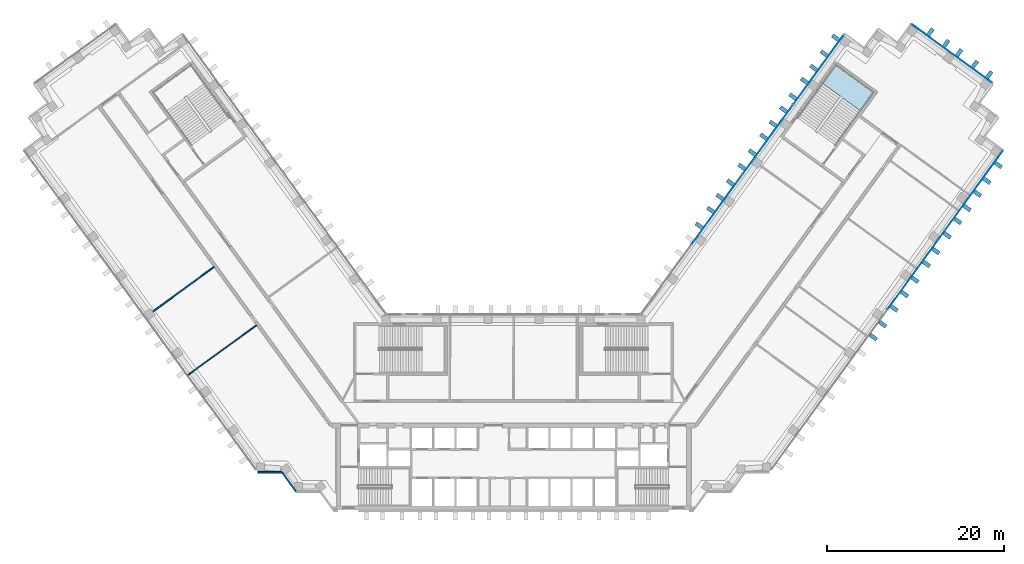
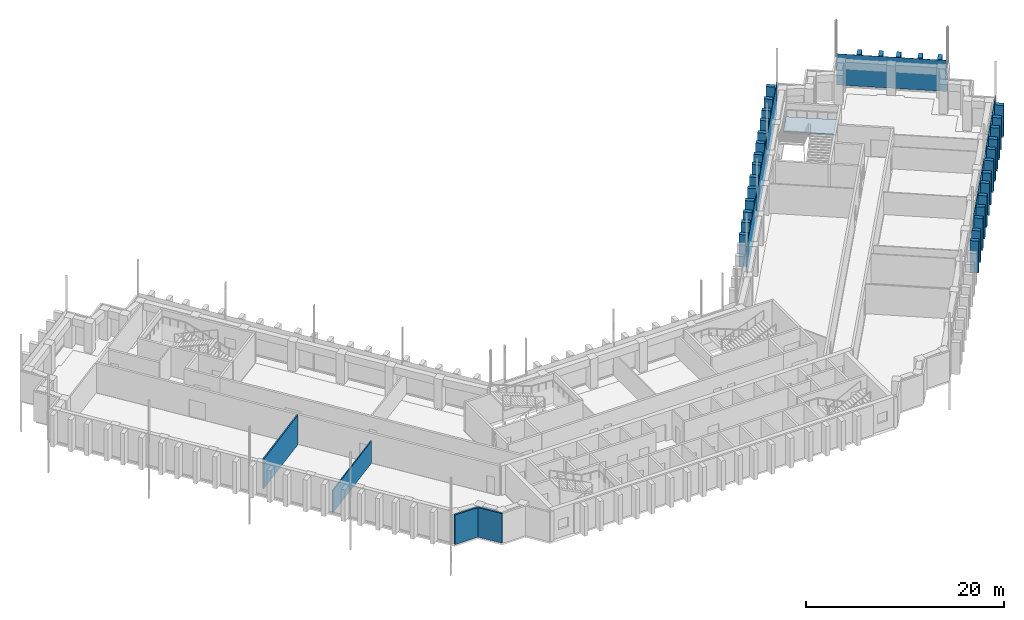
# One storey, part 9 of 18: 38 plates, 4 walls, 1 slab, 4 elements without a shape of their own.
"""IFC4 building model written with IfcOpenShell, lengths in metres."""

from ifc_helpers import new_model, si_unit, direction, frame, frame_2d, origin, origin_2d, place, context, subcontext, project, spatial, polyline, rectangle, outline, extrude, material, layer, layer_set, type_object, element, aggregate, save


model = new_model("IFC4")

# Units and contexts
model_context = context("Model", 3, precision=1e-05, world=origin(), true_north=direction((0.0, 1.0)))
body_context = subcontext(model_context, "Body", "Model", "MODEL_VIEW")
ifc_project = project(units=[si_unit("LENGTHUNIT", "METRE"), si_unit("AREAUNIT", "SQUARE_METRE"), si_unit("VOLUMEUNIT", "CUBIC_METRE"), si_unit("PLANEANGLEUNIT", "RADIAN"), si_unit("MASSUNIT", "GRAM", prefix="KILO")], contexts=[model_context])

# Site, building, storey
site_placement = place(None, origin())
site = spatial("IfcSite", under=ifc_project, at=site_placement, CompositionType="ELEMENT")
building_placement = place(site_placement, origin())
building = spatial("IfcBuilding", under=site, at=building_placement, Name="Quipu Civic Tower", CompositionType="ELEMENT")
storey_placement = place(building_placement, frame((0.0, 0.0, 71.0)))
storey = spatial("IfcBuildingStorey", under=building, at=storey_placement, Name="L16", CompositionType="ELEMENT", Elevation=71.0)

# Curtain wall, plates
ifc_material_1 = material(Name="Insulated glass unit", Category="glass")
curtain_wall_type = type_object("IfcCurtainWallType", Name="Office curtain wall CW1", PredefinedType="NOTDEFINED", material=ifc_material_1)
curtain_wall_1_placement = place(storey_placement, origin())
curtain_wall_1 = element("IfcCurtainWall", 1, at=curtain_wall_1_placement, inside=storey, type_object=curtain_wall_type, Name="Office curtain wall CW1 L15 run 20", PredefinedType="NOTDEFINED")
ifc_material_2 = material(Name="Insulated glass unit", Category="glass")
ifc_layer_1 = layer(ifc_material_2, 0.028076171875)
ifc_layer_set_1 = layer_set([ifc_layer_1], Name="Insulated glass unit")
plate_type_1 = type_object("IfcPlateType", Name="Glass panel CW1", PredefinedType="CURTAIN_PANEL", material=ifc_layer_set_1)
plate_1_placement = place(storey_placement, frame((45.4296875, 16.11669921875, 0.16015625), z_axis=(0.0, 0.0, 1.0), x_axis=(0.587785559869, 0.809016770908, 0.0)))
plate_1 = element("IfcPlate", 2, at=plate_1_placement, type_object=plate_type_1, Name="CW1 panel 3.2", PredefinedType="CURTAIN_PANEL", context=body_context, shape_type="SweptSolid", body=[
    extrude(rectangle(XDim=11.062744140625, YDim=0.028076171875, at=origin_2d()), origin(), (0.0, 0.0, 1.0), 3.840087890625),
])
plate_2_placement = place(storey_placement, frame((51.967529296875, 25.114990234375, 0.16015625), z_axis=(0.0, 0.0, 1.0), x_axis=(0.587785559869, 0.809016770908, 0.0)))
plate_2 = element("IfcPlate", 3, at=plate_2_placement, type_object=plate_type_1, Name="CW1 panel 4.2", PredefinedType="CURTAIN_PANEL", context=body_context, shape_type="SweptSolid", body=[
    extrude(rectangle(XDim=11.022705078125, YDim=0.028076171875, at=origin_2d()), origin(), (0.0, 0.0, 1.0), 3.840087890625),
])
aggregate(curtain_wall_1, [plate_1, plate_2])

# Curtain wall, plate
curtain_wall_2_placement = place(storey_placement, origin())
curtain_wall_2 = element("IfcCurtainWall", 4, at=curtain_wall_2_placement, inside=storey, type_object=curtain_wall_type, Name="Office curtain wall CW1 L15 run 25", PredefinedType="NOTDEFINED")
plate_3_placement = place(storey_placement, frame((49.447998046875, 40.53173828125, 0.16015625), z_axis=(0.0, 0.0, 1.0), x_axis=(-0.809019348124, 0.587782012621, 0.0)))
plate_3 = element("IfcPlate", 5, at=plate_3_placement, type_object=plate_type_1, Name="CW1 panel 1.2", PredefinedType="CURTAIN_PANEL", context=body_context, shape_type="SweptSolid", body=[
    extrude(rectangle(XDim=11.239990234375, YDim=0.028076171875, at=origin_2d()), origin(), (0.0, 0.0, 1.0), 3.840087890625),
])
aggregate(curtain_wall_2, [plate_3])

# Curtain wall, plates
curtain_wall_3_placement = place(storey_placement, origin())
curtain_wall_3 = element("IfcCurtainWall", 6, at=curtain_wall_3_placement, inside=storey, type_object=curtain_wall_type, Name="Office curtain wall CW1 L15 run 30", PredefinedType="NOTDEFINED")
plate_4_placement = place(storey_placement, frame((34.413330078125, 38.722900390625, 0.16015625), z_axis=(0.0, 0.0, 1.0), x_axis=(-0.587785887566, -0.809016532822, 0.0)))
plate_4 = element("IfcPlate", 7, at=plate_4_placement, type_object=plate_type_1, Name="CW1 panel 1.2", PredefinedType="CURTAIN_PANEL", context=body_context, shape_type="SweptSolid", body=[
    extrude(rectangle(XDim=9.64111328125, YDim=0.028076171875, at=origin_2d()), origin(), (0.0, 0.0, 1.0), 3.840087890625),
])
plate_5_placement = place(storey_placement, frame((28.687744140625, 30.84228515625, 0.16015625), z_axis=(0.0, 0.0, 1.0), x_axis=(-0.587785887566, -0.809016532822, 0.0)))
plate_5 = element("IfcPlate", 8, at=plate_5_placement, type_object=plate_type_1, Name="CW1 panel 2.2", PredefinedType="CURTAIN_PANEL", context=body_context, shape_type="SweptSolid", body=[
    extrude(rectangle(XDim=9.68115234375, YDim=0.028076171875, at=origin_2d()), origin(), (0.0, 0.0, 1.0), 3.840087890625),
])
plate_6_placement = place(storey_placement, frame((22.950439453125, 22.9453125, 0.16015625), z_axis=(0.0, 0.0, 1.0), x_axis=(-0.587785887566, -0.809016532822, 0.0)))
plate_6 = element("IfcPlate", 9, at=plate_6_placement, type_object=plate_type_1, Name="CW1 panel 3.2", PredefinedType="CURTAIN_PANEL", context=body_context, shape_type="SweptSolid", body=[
    extrude(rectangle(XDim=9.68115234375, YDim=0.028076171875, at=origin_2d()), origin(), (0.0, 0.0, 1.0), 3.840087890625),
])
aggregate(curtain_wall_3, [plate_4, plate_5, plate_6])

# Plates
ifc_material_3 = material(Name="Precast concrete C40/50", Category="concrete")
plate_type_2 = type_object("IfcPlateType", Name="Precast fin F1", PredefinedType="SHEET", material=ifc_material_3)
for number, where, z_axis, x_axis, name in (
    (10, (40.594970703125, 8.526611328125, 0.080078125), (0.0, 0.0, 1.0), (0.587785716149, 0.809016657363, 0.0), "Precast fin F1 L16.P24.10"),
    (11, (41.653076171875, 9.982666015625, 0.080078125), (0.0, 0.0, 1.0), (0.587785716149, 0.809016657363, 0.0), "Precast fin F1 L16.P24.11"),
    (12, (42.9462890625, 11.7626953125, 0.080078125), (0.0, 0.0, 1.0), (0.587785716149, 0.809016657363, 0.0), "Precast fin F1 L16.P24.12"),
    (13, (44.121826171875, 13.380615234375, 0.080078125), (0.0, 0.0, 1.0), (0.587785716149, 0.809016657363, 0.0), "Precast fin F1 L16.P24.13"),
    (14, (45.29736328125, 14.998779296875, 0.080078125), (0.0, 0.0, 1.0), (0.587785716149, 0.809016657363, 0.0), "Precast fin F1 L16.P24.14"),
    (15, (46.590576171875, 16.778564453125, 0.080078125), (0.0, 0.0, 1.0), (0.587785716149, 0.809016657363, 0.0), "Precast fin F1 L16.P24.15"),
    (16, (47.6484375, 18.234619140625, 0.080078125), (0.0, 0.0, 1.0), (0.587785716149, 0.809016657363, 0.0), "Precast fin F1 L16.P24.16"),
    (17, (48.941650390625, 20.0146484375, 0.080078125), (0.0, 0.0, 1.0), (0.587785716149, 0.809016657363, 0.0), "Precast fin F1 L16.P24.17"),
    (18, (50.1171875, 21.632568359375, 0.080078125), (0.0, 0.0, 1.0), (0.587785716149, 0.809016657363, 0.0), "Precast fin F1 L16.P24.18"),
    (19, (51.17529296875, 23.0888671875, 0.080078125), (0.0, 0.0, 1.0), (0.587785716149, 0.809016657363, 0.0), "Precast fin F1 L16.P24.19"),
    (20, (52.350830078125, 24.706787109375, 0.080078125), (0.0, 0.0, 1.0), (0.587785716149, 0.809016657363, 0.0), "Precast fin F1 L16.P24.20"),
    (21, (53.40869140625, 26.1630859375, 0.080078125), (0.0, 0.0, 1.0), (0.587785716149, 0.809016657363, 0.0), "Precast fin F1 L16.P24.21"),
    (22, (54.701904296875, 27.94287109375, 0.080078125), (0.0, 0.0, 1.0), (0.587785716149, 0.809016657363, 0.0), "Precast fin F1 L16.P24.22"),
    (23, (53.6748046875, 38.140625, 0.080078125), (0.0, 0.0, 1.0), (-0.809021318545, 0.587779300537, 0.0), "Precast fin F1 L16.P29.1"),
    (24, (52.056884765625, 39.316162109375, 0.080078125), (0.0, 0.0, 1.0), (-0.809021318545, 0.587779300537, 0.0), "Precast fin F1 L16.P29.2"),
    (25, (50.27685546875, 40.609375, 0.080078125), (0.0, 0.0, 1.0), (-0.809021318545, 0.587779300537, 0.0), "Precast fin F1 L16.P29.3"),
    (26, (48.82080078125, 41.66748046875, 0.080078125), (0.0, 0.0, 1.0), (-0.809021318545, 0.587779300537, 0.0), "Precast fin F1 L16.P29.4"),
    (27, (47.040771484375, 42.96044921875, 0.080078125), (0.0, 0.0, 1.0), (-0.809021318545, 0.587779300537, 0.0), "Precast fin F1 L16.P29.5"),
    (28, (36.334716796875, 42.302978515625, 0.080078125), (0.0, 0.0, 1.0), (-0.587784944053, -0.809017218324, 0.0), "Precast fin F1 L16.P34.1"),
    (29, (35.04150390625, 40.52294921875, 0.080078125), (0.0, 0.0, 1.0), (-0.587784944053, -0.809017218324, 0.0), "Precast fin F1 L16.P34.2"),
    (30, (33.865966796875, 38.905029296875, 0.080078125), (0.0, 0.0, 1.0), (-0.587784944053, -0.809017218324, 0.0), "Precast fin F1 L16.P34.3"),
    (31, (32.807861328125, 37.44873046875, 0.080078125), (0.0, 0.0, 1.0), (-0.587784944053, -0.809017218324, 0.0), "Precast fin F1 L16.P34.4"),
    (32, (31.5146484375, 35.6689453125, 0.080078125), (0.0, 0.0, 1.0), (-0.587784944053, -0.809017218324, 0.0), "Precast fin F1 L16.P34.5"),
    (33, (30.456787109375, 34.212646484375, 0.080078125), (0.0, 0.0, 1.0), (-0.587784944053, -0.809017218324, 0.0), "Precast fin F1 L16.P34.6"),
    (34, (29.28125, 32.5947265625, 0.080078125), (0.0, 0.0, 1.0), (-0.587784944053, -0.809017218324, 0.0), "Precast fin F1 L16.P34.7"),
    (35, (28.22314453125, 31.138427734375, 0.080078125), (0.0, 0.0, 1.0), (-0.587784944053, -0.809017218324, 0.0), "Precast fin F1 L16.P34.8"),
    (36, (26.929931640625, 29.358642578125, 0.080078125), (0.0, 0.0, 1.0), (-0.587784944053, -0.809017218324, 0.0), "Precast fin F1 L16.P34.9"),
    (37, (25.75439453125, 27.740478515625, 0.080078125), (0.0, 0.0, 1.0), (-0.587784944053, -0.809017218324, 0.0), "Precast fin F1 L16.P34.10"),
    (38, (24.46142578125, 25.960693359375, 0.080078125), (0.0, 0.0, 1.0), (-0.587784944053, -0.809017218324, 0.0), "Precast fin F1 L16.P34.11"),
    (39, (23.285888671875, 24.3427734375, 0.080078125), (0.0, 0.0, 1.0), (-0.587784944053, -0.809017218324, 0.0), "Precast fin F1 L16.P34.12"),
    (40, (22.227783203125, 22.886474609375, 0.080078125), (0.0, 0.0, 1.0), (-0.587784944053, -0.809017218324, 0.0), "Precast fin F1 L16.P34.13"),
    (41, (20.9345703125, 21.106689453125, 0.080078125), (0.0, 0.0, 1.0), (-0.587784944053, -0.809017218324, 0.0), "Precast fin F1 L16.P34.14"),
):
    element("IfcPlate", number, at=place(storey_placement, frame(where, z_axis=z_axis, x_axis=x_axis)), inside=storey, type_object=plate_type_2, Name=name, PredefinedType="SHEET", context=body_context, shape_type="SweptSolid", body=[
        extrude(rectangle(XDim=0.449951171875, YDim=0.89990234375, at=origin_2d()), origin(), (0.0, 0.0, 1.0), 3.919921875),
    ])

# Stair, slab
ifc_material_4 = material(Name="Concrete C40/50", Category="concrete")
stair_type = type_object("IfcStairType", Name="Half turn stair 2600", PredefinedType="HALF_TURN_STAIR", material=ifc_material_4)
stair_placement = place(storey_placement, origin())
stair = element("IfcStair", 42, at=stair_placement, inside=storey, type_object=stair_type, Name="Exit stair 7", PredefinedType="HALF_TURN_STAIR")
ifc_material_5 = material(Name="Concrete C40/50", Category="concrete")
ifc_layer_2 = layer(ifc_material_5, 0.199951171875)
ifc_layer_set_2 = layer_set([ifc_layer_2], Name="Concrete C40/50")
slab_type = type_object("IfcSlabType", Name="Stair landing 200", PredefinedType="LANDING", material=ifc_layer_set_2)
slab_placement = place(storey_placement, frame((0.0, 0.0, 1.800048828125)))
slab = element("IfcSlab", 43, at=slab_placement, type_object=slab_type, Name="ST-7 landing 1", PredefinedType="LANDING", context=body_context, shape_type="SweptSolid", body=[
    extrude(outline(polyline([(39.16552734375, 34.034912109375), (40.69384765625, 36.138427734375), (36.365478515625, 39.282958984375), (34.837158203125, 37.179443359375), (39.16552734375, 34.034912109375)])), origin(), (0.0, 0.0, 1.0), 0.199951171875),
])
aggregate(stair, [slab])

# Walls
ifc_material_6 = material(Name="Double gypsum plasterboard with mineral wool")
ifc_layer_3 = layer(ifc_material_6, 0.14990234375)
ifc_layer_set_3 = layer_set([ifc_layer_3], Name="Double gypsum plasterboard with mineral wool")
wall_type_1 = type_object("IfcWallType", Name="Acoustic partition 150 plasterboard", PredefinedType="PARTITIONING", material=ifc_layer_set_3)
wall_1_placement = place(storey_placement, frame((-40.701904296875, 11.404541015625, 0.0), z_axis=(0.0, 0.0, 1.0), x_axis=(0.807600812808, 0.58972953729, 0.0)))
element("IfcWall", 44, at=wall_1_placement, inside=storey, type_object=wall_type_1, Name="Partition P12", PredefinedType="PARTITIONING", context=body_context, shape_type="SweptSolid", body=[
    extrude(rectangle(XDim=8.5947265625, YDim=0.14990234375, at=frame_2d((4.29736328125, 0.0))), origin(), (0.0, 0.0, 1.0), 3.64990234375),
])
ifc_material_7 = material(Name="Gypsum plasterboard on light gauge framing")
ifc_layer_4 = layer(ifc_material_7, 0.1201171875)
ifc_layer_set_4 = layer_set([ifc_layer_4], Name="Gypsum plasterboard on light gauge framing")
wall_type_2 = type_object("IfcWallType", Name="Partition 120 plasterboard", PredefinedType="PARTITIONING", material=ifc_layer_set_4)
wall_2_placement = place(storey_placement, frame((-28.976318359375, 9.8876953125, 0.0), z_axis=(0.0, 0.0, 1.0), x_axis=(-0.808998008689, -0.58781138296, 0.0)))
element("IfcWall", 45, at=wall_2_placement, inside=storey, type_object=wall_type_2, Name="Partition P09", PredefinedType="PARTITIONING", context=body_context, shape_type="SweptSolid", body=[
    extrude(rectangle(XDim=9.5498046875, YDim=0.1201171875, at=frame_2d((4.77490234375, 0.0))), origin(), (0.0, 0.0, 1.0), 2.75),
])
ifc_material_8 = material(Name="Precast concrete C40/50", Category="concrete")
wall_type_3 = type_object("IfcWallType", Name="Precast cladding wall", PredefinedType="SOLIDWALL", material=ifc_material_8)
wall_3_placement = place(storey_placement, frame((-28.829833984375, -6.71923828125, 0.0), z_axis=(0.0, 0.0, 1.0), x_axis=(1.0, 0.0, 0.0)))
element("IfcWall", 46, at=wall_3_placement, inside=storey, type_object=wall_type_3, Name="Precast cladding wall L16 P12", PredefinedType="SOLIDWALL", context=body_context, shape_type="SweptSolid", body=[
    extrude(rectangle(XDim=2.699951171875, YDim=0.199951171875, at=frame_2d((1.35009765625, 0.0))), origin(), (0.0, 0.0, 1.0), 3.64990234375),
])
wall_4_placement = place(storey_placement, frame((-26.1201171875, -6.72412109375, 0.0), z_axis=(0.0, 0.0, 1.0), x_axis=(0.587720002413, -0.809064397168, 0.0)))
element("IfcWall", 47, at=wall_4_placement, inside=storey, type_object=wall_type_3, Name="Precast cladding wall L16 P13", PredefinedType="SOLIDWALL", context=body_context, shape_type="SweptSolid", body=[
    extrude(rectangle(XDim=2.7001953125, YDim=0.199951171875, at=frame_2d((1.35009765625, 0.0))), origin(), (0.0, 0.0, 1.0), 3.64990234375),
])

save(model, "model.ifc")
